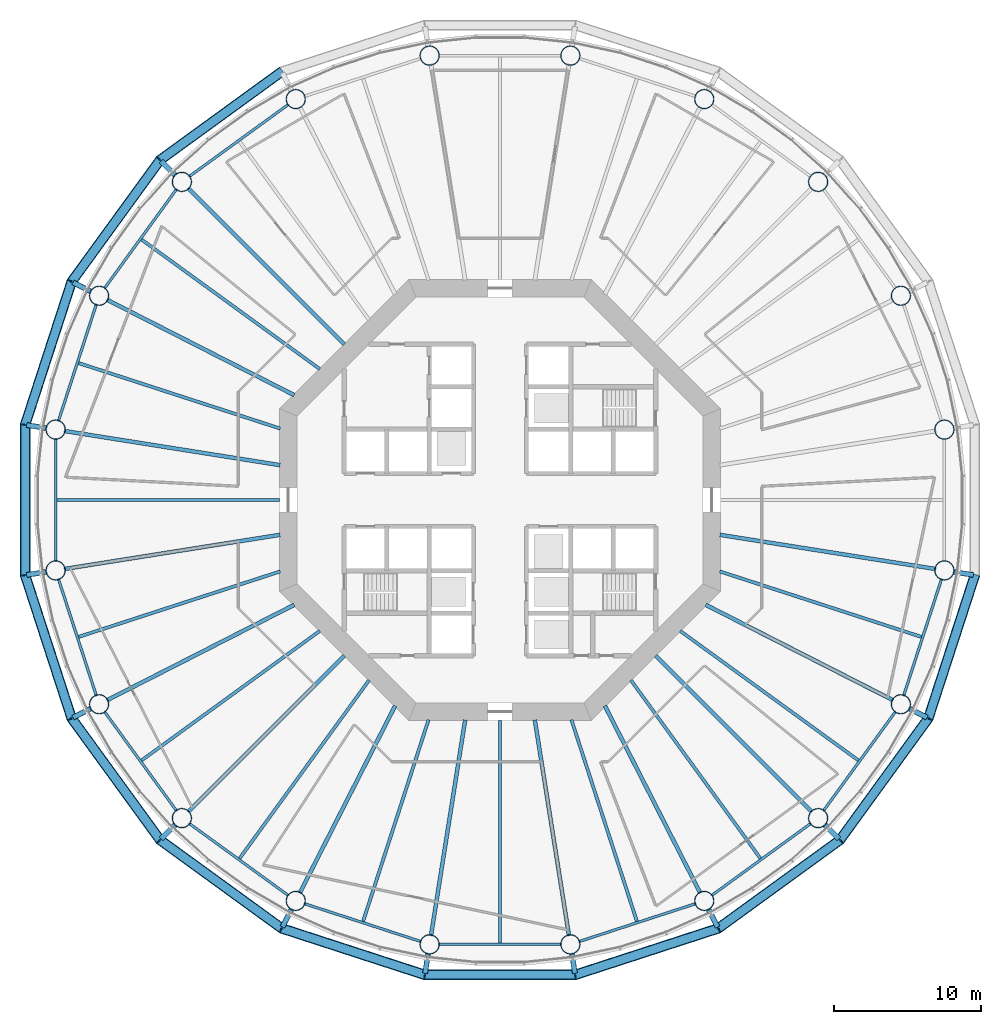
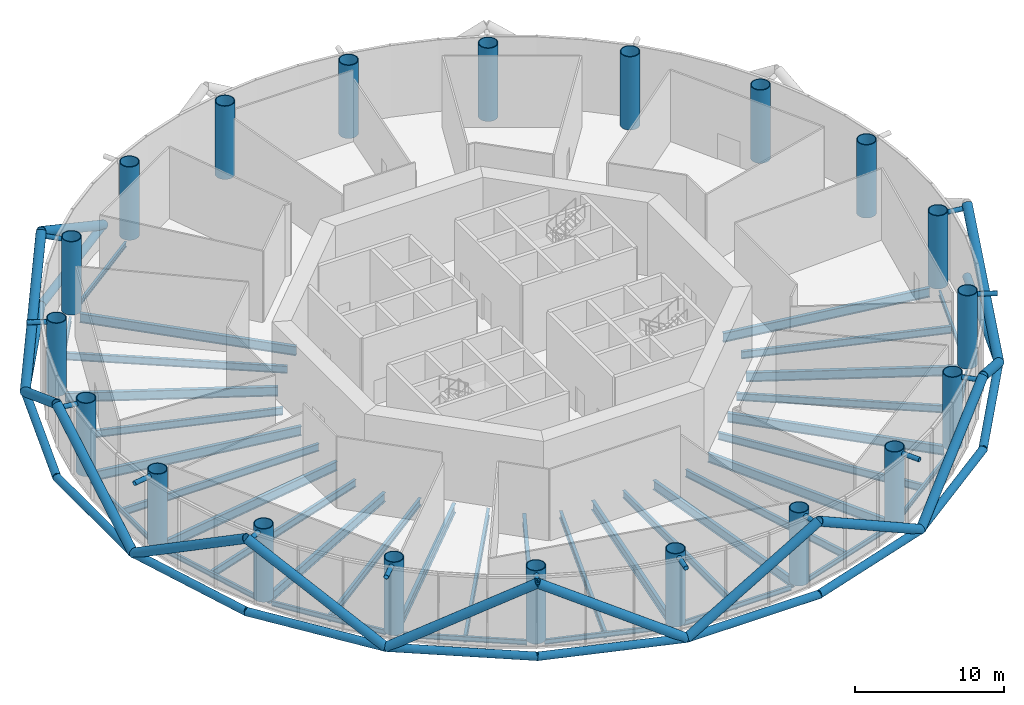
# One storey, part 1 of 14: 39 members, 38 beams, 20 columns.
"""IFC4 building model written with IfcOpenShell, lengths in metres."""

from ifc_helpers import new_model, si_unit, direction, frame, origin, origin_2d, place, context, subcontext, project, spatial, circle, hollow_circle, i_section, extrude, material, material_profile, profile_set, type_object, element, save


model = new_model("IFC4")

# Units and contexts
model_context = context("Model", 3, precision=1e-05, world=origin(), true_north=direction((0.0, 1.0)))
body_context = subcontext(model_context, "Body", "Model", "MODEL_VIEW")
ifc_project = project(units=[si_unit("LENGTHUNIT", "METRE"), si_unit("AREAUNIT", "SQUARE_METRE"), si_unit("VOLUMEUNIT", "CUBIC_METRE"), si_unit("PLANEANGLEUNIT", "RADIAN"), si_unit("MASSUNIT", "GRAM", prefix="KILO")], contexts=[model_context])

# Site, building, storey
site_placement = place(None, origin())
site = spatial("IfcSite", under=ifc_project, at=site_placement, CompositionType="ELEMENT")
building_placement = place(site_placement, origin())
building = spatial("IfcBuilding", under=site, at=building_placement, Name="Entoto Ring Tower", CompositionType="ELEMENT")
storey_placement = place(building_placement, frame((0.0, 0.0, 132.0)))
storey = spatial("IfcBuildingStorey", under=building, at=storey_placement, Name="L30", CompositionType="ELEMENT", Elevation=132.0)

# Columns
ifc_material_1 = material(Name="Steel S355", Category="steel")
ifc_material_profile_1 = material_profile(ifc_material_1, hollow_circle(Radius=0.675048828125, WallThickness=0.06005859375, at=origin_2d()), Name="CHS 1350 x 60")
ifc_material_2 = material(Name="Concrete C60/75", Category="concrete")
ifc_material_profile_2 = material_profile(ifc_material_2, circle(Radius=0.614990234375, at=origin_2d()), Name="Concrete C60/75 infill")
ifc_profile_set_1 = profile_set([ifc_material_profile_1, ifc_material_profile_2], Name="Steel S355")
column_type = type_object("IfcColumnType", Name="Ring column 1350 x 60 concrete-filled tube", PredefinedType="COLUMN", material=ifc_profile_set_1)
for number, where, z_axis, x_axis, name in (
    (1, (120.22314453125, 84.786865234375, 0.0), (0.0, 0.0, 1.0), (1.0, 0.0, 0.0), "RC2B R01"),
    (2, (117.264892578125, 93.89208984375, 0.0), (0.0, 0.0, 1.0), (1.0, 0.0, 0.0), "RC2B R02"),
    (3, (111.637451171875, 101.637451171875, 0.0), (0.0, 0.0, 1.0), (1.0, 0.0, 0.0), "RC2B R03"),
    (4, (103.89208984375, 107.264892578125, 0.0), (0.0, 0.0, 1.0), (1.0, 0.0, 0.0), "RC2B R04"),
    (5, (94.786865234375, 110.22314453125, 0.0), (0.0, 0.0, 1.0), (1.0, 0.0, 0.0), "RC2B R05"),
    (6, (85.213134765625, 110.22314453125, 0.0), (0.0, 0.0, 1.0), (1.0, 0.0, 0.0), "RC2B R06"),
    (7, (76.10791015625, 107.264892578125, 0.0), (0.0, 0.0, 1.0), (1.0, 0.0, 0.0), "RC2B R07"),
    (8, (68.362548828125, 101.637451171875, 0.0), (0.0, 0.0, 1.0), (1.0, 0.0, 0.0), "RC2B R08"),
    (9, (62.735107421875, 93.89208984375, 0.0), (0.0, 0.0, 1.0), (1.0, 0.0, 0.0), "RC2B R09"),
    (10, (59.77685546875, 84.786865234375, 0.0), (0.0, 0.0, 1.0), (1.0, 0.0, 0.0), "RC2B R10"),
    (11, (59.77685546875, 75.213134765625, 0.0), (0.0, 0.0, 1.0), (1.0, 0.0, 0.0), "RC2B R11"),
    (12, (62.735107421875, 66.10791015625, 0.0), (0.0, 0.0, 1.0), (1.0, 0.0, 0.0), "RC2B R12"),
    (13, (68.362548828125, 58.362548828125, 0.0), (0.0, 0.0, 1.0), (1.0, 0.0, 0.0), "RC2B R13"),
    (14, (76.10791015625, 52.735107421875, 0.0), (0.0, 0.0, 1.0), (1.0, 0.0, 0.0), "RC2B R14"),
    (15, (85.213134765625, 49.77685546875, 0.0), (0.0, 0.0, 1.0), (1.0, 0.0, 0.0), "RC2B R15"),
    (16, (94.786865234375, 49.77685546875, 0.0), (0.0, 0.0, 1.0), (1.0, 0.0, 0.0), "RC2B R16"),
    (17, (103.89208984375, 52.735107421875, 0.0), (0.0, 0.0, 1.0), (1.0, 0.0, 0.0), "RC2B R17"),
    (18, (111.637451171875, 58.362548828125, 0.0), (0.0, 0.0, 1.0), (1.0, 0.0, 0.0), "RC2B R18"),
    (19, (117.264892578125, 66.10791015625, 0.0), (0.0, 0.0, 1.0), (1.0, 0.0, 0.0), "RC2B R19"),
    (20, (120.22314453125, 75.213134765625, 0.0), (0.0, 0.0, 1.0), (1.0, 0.0, 0.0), "RC2B R20"),
):
    element("IfcColumn", number, at=place(storey_placement, frame(where, z_axis=z_axis, x_axis=x_axis)), inside=storey, type_object=column_type, Name=name, PredefinedType="COLUMN", context=body_context, shape_type="SweptSolid", body=[
        extrude(hollow_circle(Radius=0.675048828125, WallThickness=0.06005859375, at=origin_2d()), origin(), (0.0, 0.0, 1.0), 6.0),
    ])

# Members
ifc_material_3 = material(Name="Steel S355", Category="steel")
ifc_material_profile_3 = material_profile(ifc_material_3, hollow_circle(Radius=0.35009765625, WallThickness=0.034912109375, at=origin_2d()), Name="CHS 700 x 35")
ifc_material_4 = material(Name="Concrete C60/75", Category="concrete")
ifc_material_profile_4 = material_profile(ifc_material_4, circle(Radius=0.31494140625, at=origin_2d()), Name="Concrete C60/75 infill")
ifc_profile_set_2 = profile_set([ifc_material_profile_3, ifc_material_profile_4], Name="Steel S355")
member_type_1 = type_object("IfcMemberType", Name="Diagrid diagonal 700 x 35 concrete-filled tube", PredefinedType="BRACE", material=ifc_profile_set_2)
for number, where, z_axis, x_axis, name in (
    (21, (75.154541015625, 109.135986328125, 0.0), (-0.697852636257, -0.507035164187, 0.505882437279), (0.587797047665, -0.809008424404, 0.0), "DG3 module 9 08"),
    (22, (60.864013671875, 94.845458984375, 0.0), (0.507035164187, 0.697852636257, 0.505882437279), (-0.809008424404, 0.587797047665, 0.0), "DG3 module 9 09"),
    (23, (60.864013671875, 94.845458984375, 0.0), (-0.266551077014, -0.820382008133, 0.505889201382), (0.95105896794, -0.309009448885, 0.0), "DG3 module 9 10"),
):
    element("IfcMember", number, at=place(storey_placement, frame(where, z_axis=z_axis, x_axis=x_axis)), inside=storey, type_object=member_type_1, Name=name, PredefinedType="BRACE", context=body_context, shape_type="SweptSolid", body=[
        extrude(hollow_circle(Radius=0.35009765625, WallThickness=0.034912109375, at=origin_2d()), origin(), (0.0, 0.0, 1.0), 11.8603515625),
    ])
member_1_placement = place(storey_placement, frame((57.70263671875, 74.884521484375, 0.0), z_axis=(0.0, 0.862604433537, 0.505879028268), x_axis=(-1.0, 0.0, 0.0)))
element("IfcMember", 24, at=member_1_placement, inside=storey, type_object=member_type_1, Name="DG3 module 9 11", PredefinedType="BRACE", context=body_context, shape_type="SweptSolid", body=[
    extrude(hollow_circle(Radius=0.35009765625, WallThickness=0.034912109375, at=origin_2d()), origin(), (0.0, 0.0, 1.0), 11.860595703125),
])
for number, where, z_axis, x_axis, name in (
    (25, (57.70263671875, 74.884521484375, 0.0), (0.266551077014, -0.820382008133, 0.505889201382), (0.95105896794, 0.309009448885, 0.0), "DG3 module 9 12"),
    (26, (66.877685546875, 56.877685546875, 0.0), (-0.507035164187, 0.697852636257, 0.505882437279), (-0.809008424404, -0.587797047665, 0.0), "DG3 module 9 13"),
    (27, (66.877685546875, 56.877685546875, 0.0), (0.697852636257, -0.507035164187, 0.505882437279), (0.587797047665, 0.809008424404, 0.0), "DG3 module 9 14"),
    (28, (84.884521484375, 47.70263671875, 0.0), (-0.820382008133, 0.266551077014, 0.505889201382), (-0.309009448885, -0.95105896794, 0.0), "DG3 module 9 15"),
):
    element("IfcMember", number, at=place(storey_placement, frame(where, z_axis=z_axis, x_axis=x_axis)), inside=storey, type_object=member_type_1, Name=name, PredefinedType="BRACE", context=body_context, shape_type="SweptSolid", body=[
        extrude(hollow_circle(Radius=0.35009765625, WallThickness=0.034912109375, at=origin_2d()), origin(), (0.0, 0.0, 1.0), 11.8603515625),
    ])
member_2_placement = place(storey_placement, frame((84.884521484375, 47.70263671875, 0.0), z_axis=(0.862604433537, 0.0, 0.505879028268), x_axis=(0.0, 1.0, 0.0)))
element("IfcMember", 29, at=member_2_placement, inside=storey, type_object=member_type_1, Name="DG3 module 9 16", PredefinedType="BRACE", context=body_context, shape_type="SweptSolid", body=[
    extrude(hollow_circle(Radius=0.35009765625, WallThickness=0.034912109375, at=origin_2d()), origin(), (0.0, 0.0, 1.0), 11.860595703125),
])
for number, where, z_axis, x_axis, name in (
    (30, (104.845458984375, 50.864013671875, 0.0), (-0.820382008133, -0.266551077014, 0.505889201382), (0.309009448885, -0.95105896794, 0.0), "DG3 module 9 17"),
    (31, (104.845458984375, 50.864013671875, 0.0), (0.697852636257, 0.507035164187, 0.505882437279), (-0.587797047665, 0.809008424404, 0.0), "DG3 module 9 18"),
    (32, (119.135986328125, 65.154541015625, 0.0), (-0.507035164187, -0.697852636257, 0.505882437279), (0.809008424404, -0.587797047665, 0.0), "DG3 module 9 19"),
    (33, (119.135986328125, 65.154541015625, 0.0), (0.266551077014, 0.820382008133, 0.505889201382), (-0.95105896794, 0.309009448885, 0.0), "DG3 module 9 20"),
):
    element("IfcMember", number, at=place(storey_placement, frame(where, z_axis=z_axis, x_axis=x_axis)), inside=storey, type_object=member_type_1, Name=name, PredefinedType="BRACE", context=body_context, shape_type="SweptSolid", body=[
        extrude(hollow_circle(Radius=0.35009765625, WallThickness=0.034912109375, at=origin_2d()), origin(), (0.0, 0.0, 1.0), 11.8603515625),
    ])
ifc_material_5 = material(Name="Steel S355", Category="steel")
ifc_material_profile_5 = material_profile(ifc_material_5, hollow_circle(Radius=0.177734375, WallThickness=0.01611328125, at=origin_2d()), Name="CHS 355.6 x 16")
ifc_material_6 = material(Name="Concrete C60/75", Category="concrete")
ifc_material_profile_6 = material_profile(ifc_material_6, circle(Radius=0.161865234375, at=origin_2d()), Name="Concrete C60/75 infill")
ifc_profile_set_3 = profile_set([ifc_material_profile_5, ifc_material_profile_6], Name="Steel S355")
member_type_2 = type_object("IfcMemberType", Name="Diagrid node strut 355.6 x 16", PredefinedType="STRUT", material=ifc_profile_set_3)
for number, where, z_axis, x_axis, name in (
    (34, (67.916259765625, 102.083740234375, 5.672119140625), (-0.707106781187, 0.707106781187, 0.0), (-0.707106781187, -0.707106781187, 0.0), "DS1 strut ring 9 07"),
    (35, (62.1728515625, 94.1787109375, 5.672119140625), (-0.891049024255, 0.453907079009, 0.0), (-0.453907079009, -0.891049024255, 0.0), "DS1 strut ring 9 08"),
    (36, (59.1533203125, 84.8857421875, 5.672119140625), (-0.987692006153, 0.156411319862, 0.0), (-0.156411319862, -0.987692006153, 0.0), "DS1 strut ring 9 09"),
    (37, (59.1533203125, 75.1142578125, 5.672119140625), (-0.987692006153, -0.156411319862, 0.0), (0.156411319862, -0.987692006153, 0.0), "DS1 strut ring 9 10"),
    (38, (62.1728515625, 65.8212890625, 5.672119140625), (-0.891049024255, -0.453907079009, 0.0), (0.453907079009, -0.891049024255, 0.0), "DS1 strut ring 9 11"),
    (39, (67.916259765625, 57.916259765625, 5.672119140625), (-0.707106781187, -0.707106781187, 0.0), (0.707106781187, -0.707106781187, 0.0), "DS1 strut ring 9 12"),
    (40, (75.8212890625, 52.1728515625, 5.672119140625), (-0.453907079009, -0.891049024255, 0.0), (0.891049024255, -0.453907079009, 0.0), "DS1 strut ring 9 13"),
    (41, (85.1142578125, 49.1533203125, 5.672119140625), (-0.156411319862, -0.987692006153, 0.0), (0.987692006153, -0.156411319862, 0.0), "DS1 strut ring 9 14"),
    (42, (94.8857421875, 49.1533203125, 5.672119140625), (0.156411319862, -0.987692006153, 0.0), (0.987692006153, 0.156411319862, 0.0), "DS1 strut ring 9 15"),
    (43, (104.1787109375, 52.1728515625, 5.672119140625), (0.453907079009, -0.891049024255, 0.0), (0.891049024255, 0.453907079009, 0.0), "DS1 strut ring 9 16"),
    (44, (112.083740234375, 57.916259765625, 5.672119140625), (0.707106781187, -0.707106781187, 0.0), (0.707106781187, 0.707106781187, 0.0), "DS1 strut ring 9 17"),
    (45, (117.8271484375, 65.8212890625, 5.672119140625), (0.891049024255, -0.453907079009, 0.0), (0.453907079009, 0.891049024255, 0.0), "DS1 strut ring 9 18"),
    (46, (120.8466796875, 75.1142578125, 5.672119140625), (0.987692006153, -0.156411319862, 0.0), (0.156411319862, 0.987692006153, 0.0), "DS1 strut ring 9 19"),
):
    element("IfcMember", number, at=place(storey_placement, frame(where, z_axis=z_axis, x_axis=x_axis)), inside=storey, type_object=member_type_2, Name=name, PredefinedType="STRUT", context=body_context, shape_type="SweptSolid", body=[
        extrude(hollow_circle(Radius=0.177734375, WallThickness=0.01611328125, at=origin_2d()), origin(), (0.0, 0.0, 1.0), 1.368896484375),
    ])
ifc_material_7 = material(Name="Steel S355", Category="steel")
ifc_material_profile_7 = material_profile(ifc_material_7, hollow_circle(Radius=0.300048828125, WallThickness=0.030029296875, at=origin_2d()), Name="CHS 600 x 30")
ifc_material_8 = material(Name="Concrete C60/75", Category="concrete")
ifc_material_profile_8 = material_profile(ifc_material_8, circle(Radius=0.27001953125, at=origin_2d()), Name="Concrete C60/75 infill")
ifc_profile_set_4 = profile_set([ifc_material_profile_7, ifc_material_profile_8], Name="Steel S355")
member_type_3 = type_object("IfcMemberType", Name="Diagrid ring beam 600 x 30", PredefinedType="CHORD", material=ifc_profile_set_4)
for number, where, z_axis, x_axis, name in (
    (47, (75.209228515625, 109.175537109375, 0.0), (-0.809025235549, -0.587773909122, 0.0), (0.587773909122, -0.809025235549, 0.0), "DR1 ring 8 07"),
    (48, (66.917236328125, 103.177001953125, 0.0), (-0.587773909122, -0.809025235549, 0.0), (0.809025235549, -0.587773909122, 0.0), "DR1 ring 8 08"),
):
    element("IfcMember", number, at=place(storey_placement, frame(where, z_axis=z_axis, x_axis=x_axis)), inside=storey, type_object=member_type_3, Name=name, PredefinedType="CHORD", context=body_context, shape_type="SweptSolid", body=[
        extrude(hollow_circle(Radius=0.300048828125, WallThickness=0.030029296875, at=origin_2d()), origin(), (0.0, 0.0, 1.0), 10.365966796875),
    ])
for number, where, z_axis, x_axis, name in (
    (49, (60.885009765625, 94.90966796875, 0.0), (-0.309032815696, -0.951051375491, 0.0), (0.951051375491, -0.309032815696, 0.0), "DR1 ring 8 09"),
    (50, (57.70263671875, 85.182861328125, 0.0), (0.0, -1.0, 0.0), (1.0, 0.0, 0.0), "DR1 ring 8 10"),
    (51, (57.681640625, 74.94873046875, 0.0), (0.309032815696, -0.951051375491, 0.0), (0.951051375491, 0.309032815696, 0.0), "DR1 ring 8 11"),
):
    element("IfcMember", number, at=place(storey_placement, frame(where, z_axis=z_axis, x_axis=x_axis)), inside=storey, type_object=member_type_3, Name=name, PredefinedType="CHORD", context=body_context, shape_type="SweptSolid", body=[
        extrude(hollow_circle(Radius=0.300048828125, WallThickness=0.030029296875, at=origin_2d()), origin(), (0.0, 0.0, 1.0), 10.36572265625),
    ])
for number, where, z_axis, x_axis, name in (
    (52, (60.824462890625, 65.209228515625, 0.0), (0.587773909122, -0.809025235549, 0.0), (0.809025235549, 0.587773909122, 0.0), "DR1 ring 8 12"),
    (53, (66.822998046875, 56.917236328125, 0.0), (0.809025235549, -0.587773909122, 0.0), (0.587773909122, 0.809025235549, 0.0), "DR1 ring 8 13"),
):
    element("IfcMember", number, at=place(storey_placement, frame(where, z_axis=z_axis, x_axis=x_axis)), inside=storey, type_object=member_type_3, Name=name, PredefinedType="CHORD", context=body_context, shape_type="SweptSolid", body=[
        extrude(hollow_circle(Radius=0.300048828125, WallThickness=0.030029296875, at=origin_2d()), origin(), (0.0, 0.0, 1.0), 10.365966796875),
    ])
for number, where, z_axis, x_axis, name in (
    (54, (75.09033203125, 50.885009765625, 0.0), (0.951051375491, -0.309032815696, 0.0), (0.309032815696, 0.951051375491, 0.0), "DR1 ring 8 14"),
    (55, (84.817138671875, 47.70263671875, 0.0), (1.0, 0.0, 0.0), (0.0, 1.0, 0.0), "DR1 ring 8 15"),
    (56, (95.05126953125, 47.681640625, 0.0), (0.951051375491, 0.309032815696, 0.0), (-0.309032815696, 0.951051375491, 0.0), "DR1 ring 8 16"),
):
    element("IfcMember", number, at=place(storey_placement, frame(where, z_axis=z_axis, x_axis=x_axis)), inside=storey, type_object=member_type_3, Name=name, PredefinedType="CHORD", context=body_context, shape_type="SweptSolid", body=[
        extrude(hollow_circle(Radius=0.300048828125, WallThickness=0.030029296875, at=origin_2d()), origin(), (0.0, 0.0, 1.0), 10.36572265625),
    ])
for number, where, z_axis, x_axis, name in (
    (57, (104.790771484375, 50.824462890625, 0.0), (0.809025235549, 0.587773909122, 0.0), (-0.587773909122, 0.809025235549, 0.0), "DR1 ring 8 17"),
    (58, (113.082763671875, 56.822998046875, 0.0), (0.587773909122, 0.809025235549, 0.0), (-0.809025235549, 0.587773909122, 0.0), "DR1 ring 8 18"),
):
    element("IfcMember", number, at=place(storey_placement, frame(where, z_axis=z_axis, x_axis=x_axis)), inside=storey, type_object=member_type_3, Name=name, PredefinedType="CHORD", context=body_context, shape_type="SweptSolid", body=[
        extrude(hollow_circle(Radius=0.300048828125, WallThickness=0.030029296875, at=origin_2d()), origin(), (0.0, 0.0, 1.0), 10.365966796875),
    ])
member_3_placement = place(storey_placement, frame((119.114990234375, 65.09033203125, 0.0), z_axis=(0.309032815696, 0.951051375491, 0.0), x_axis=(-0.951051375491, 0.309032815696, 0.0)))
element("IfcMember", 59, at=member_3_placement, inside=storey, type_object=member_type_3, Name="DR1 ring 8 19", PredefinedType="CHORD", context=body_context, shape_type="SweptSolid", body=[
    extrude(hollow_circle(Radius=0.300048828125, WallThickness=0.030029296875, at=origin_2d()), origin(), (0.0, 0.0, 1.0), 10.36572265625),
])

# Beams
ifc_material_9 = material(Name="Steel S355", Category="steel")
ifc_material_profile_9 = material_profile(ifc_material_9, i_section(OverallWidth=0.179931640625, OverallDepth=0.39990234375, WebThickness=0.008544921875, FlangeThickness=0.013427734375, FilletRadius=0.02099609375, at=origin_2d()), Name="IPE 400")
ifc_profile_set_5 = profile_set([ifc_material_profile_9], Name="Steel S355")
beam_type_1 = type_object("IfcBeamType", Name="Edge beam IPE 400", PredefinedType="SPANDREL", material=ifc_profile_set_5)
for number, where, z_axis, x_axis, name in (
    (60, (75.623779296875, 106.9130859375, -0.35009765625), (-0.8090182976, -0.587783458554, 0.0), (0.587783458554, -0.8090182976, 0.0), "Edge beam L30 07"),
    (61, (68.0107421875, 101.1533203125, -0.35009765625), (-0.587783458554, -0.8090182976, 0.0), (0.8090182976, -0.587783458554, 0.0), "Edge beam L30 08"),
    (62, (62.55029296875, 93.322998046875, -0.35009765625), (-0.309014241039, -0.951057410904, 0.0), (0.951057410904, -0.309014241039, 0.0), "Edge beam L30 09"),
    (63, (59.77685546875, 84.1884765625, -0.35009765625), (0.0, -1.0, 0.0), (1.0, 0.0, 0.0), "Edge beam L30 10"),
    (64, (59.961669921875, 74.64404296875, -0.35009765625), (0.309014241039, -0.951057410904, 0.0), (0.951057410904, 0.309014241039, 0.0), "Edge beam L30 11"),
    (65, (63.0869140625, 65.623779296875, -0.35009765625), (0.587783458554, -0.8090182976, 0.0), (0.8090182976, 0.587783458554, 0.0), "Edge beam L30 12"),
    (66, (68.8466796875, 58.0107421875, -0.35009765625), (0.8090182976, -0.587783458554, 0.0), (0.587783458554, 0.8090182976, 0.0), "Edge beam L30 13"),
    (67, (76.677001953125, 52.55029296875, -0.35009765625), (0.951057410904, -0.309014241039, 0.0), (0.309014241039, 0.951057410904, 0.0), "Edge beam L30 14"),
    (68, (85.8115234375, 49.77685546875, -0.35009765625), (1.0, 0.0, 0.0), (0.0, 1.0, 0.0), "Edge beam L30 15"),
    (69, (95.35595703125, 49.961669921875, -0.35009765625), (0.951057410904, 0.309014241039, 0.0), (-0.309014241039, 0.951057410904, 0.0), "Edge beam L30 16"),
    (70, (104.376220703125, 53.0869140625, -0.35009765625), (0.8090182976, 0.587783458554, 0.0), (-0.587783458554, 0.8090182976, 0.0), "Edge beam L30 17"),
    (71, (111.9892578125, 58.8466796875, -0.35009765625), (0.587783458554, 0.8090182976, 0.0), (-0.8090182976, 0.587783458554, 0.0), "Edge beam L30 18"),
    (72, (117.44970703125, 66.677001953125, -0.35009765625), (0.309014241039, 0.951057410904, 0.0), (-0.951057410904, 0.309014241039, 0.0), "Edge beam L30 19"),
):
    element("IfcBeam", number, at=place(storey_placement, frame(where, z_axis=z_axis, x_axis=x_axis)), inside=storey, type_object=beam_type_1, Name=name, PredefinedType="SPANDREL", context=body_context, shape_type="SweptSolid", body=[
        extrude(i_section(OverallWidth=0.179931640625, OverallDepth=0.39990234375, WebThickness=0.008544921875, FlangeThickness=0.013427734375, FilletRadius=0.02099609375, at=origin_2d()), origin(), (0.0, 0.0, 1.0), 8.376953125),
    ])
ifc_material_10 = material(Name="Steel S355", Category="steel")
ifc_material_profile_10 = material_profile(ifc_material_10, i_section(OverallWidth=0.262939453125, OverallDepth=0.7529296875, WebThickness=0.011474609375, FlangeThickness=0.01708984375, FilletRadius=0.01708984375, at=origin_2d()), Name="IPE 750 x 137")
ifc_profile_set_6 = profile_set([ifc_material_profile_10], Name="Steel S355")
beam_type_2 = type_object("IfcBeamType", Name="Primary floor beam IPE 750 x 137", PredefinedType="BEAM", material=ifc_profile_set_6)
beam_1_placement = place(storey_placement, frame((79.407470703125, 90.592529296875, -0.526611328125), z_axis=(-0.707106781187, 0.707106781187, 0.0), x_axis=(-0.707106781187, -0.707106781187, 0.0)))
element("IfcBeam", 73, at=beam_1_placement, inside=storey, type_object=beam_type_2, Name="Primary L30 R08", PredefinedType="BEAM", context=body_context, shape_type="SweptSolid", body=[
    extrude(i_section(OverallWidth=0.262939453125, OverallDepth=0.7529296875, WebThickness=0.011474609375, FlangeThickness=0.01708984375, FilletRadius=0.01708984375, at=origin_2d()), origin(), (0.0, 0.0, 1.0), 15.029052734375),
])
beam_2_placement = place(storey_placement, frame((76.0029296875, 87.1318359375, -0.526611328125), z_axis=(-0.891007312585, 0.453988952421, 0.0), x_axis=(-0.453988952421, -0.891007312585, 0.0)))
element("IfcBeam", 74, at=beam_2_placement, inside=storey, type_object=beam_type_2, Name="Primary L30 R09", PredefinedType="BEAM", context=body_context, shape_type="SweptSolid", body=[
    extrude(i_section(OverallWidth=0.262939453125, OverallDepth=0.7529296875, WebThickness=0.011474609375, FlangeThickness=0.01708984375, FilletRadius=0.01708984375, at=origin_2d()), origin(), (0.0, 0.0, 1.0), 14.2998046875),
])
for number, where, z_axis, x_axis, name in (
    (75, (75.040283203125, 82.369384765625, -0.526611328125), (-0.98768960451, 0.156426484787, 0.0), (-0.156426484787, -0.98768960451, 0.0), "Primary L30 R10"),
    (76, (75.040283203125, 77.630615234375, -0.526611328125), (-0.98768960451, -0.156426484787, 0.0), (0.156426484787, -0.98768960451, 0.0), "Primary L30 R11"),
):
    element("IfcBeam", number, at=place(storey_placement, frame(where, z_axis=z_axis, x_axis=x_axis)), inside=storey, type_object=beam_type_2, Name=name, PredefinedType="BEAM", context=body_context, shape_type="SweptSolid", body=[
        extrude(i_section(OverallWidth=0.262939453125, OverallDepth=0.7529296875, WebThickness=0.011474609375, FlangeThickness=0.01708984375, FilletRadius=0.01708984375, at=origin_2d()), origin(), (0.0, 0.0, 1.0), 14.86279296875),
    ])
beam_3_placement = place(storey_placement, frame((76.0029296875, 72.8681640625, -0.526611328125), z_axis=(-0.891007312585, -0.453988952421, 0.0), x_axis=(0.453988952421, -0.891007312585, 0.0)))
element("IfcBeam", 77, at=beam_3_placement, inside=storey, type_object=beam_type_2, Name="Primary L30 R12", PredefinedType="BEAM", context=body_context, shape_type="SweptSolid", body=[
    extrude(i_section(OverallWidth=0.262939453125, OverallDepth=0.7529296875, WebThickness=0.011474609375, FlangeThickness=0.01708984375, FilletRadius=0.01708984375, at=origin_2d()), origin(), (0.0, 0.0, 1.0), 14.2998046875),
])
beam_4_placement = place(storey_placement, frame((79.407470703125, 69.407470703125, -0.526611328125), z_axis=(-0.707106781187, -0.707106781187, 0.0), x_axis=(0.707106781187, -0.707106781187, 0.0)))
element("IfcBeam", 78, at=beam_4_placement, inside=storey, type_object=beam_type_2, Name="Primary L30 R13", PredefinedType="BEAM", context=body_context, shape_type="SweptSolid", body=[
    extrude(i_section(OverallWidth=0.262939453125, OverallDepth=0.7529296875, WebThickness=0.011474609375, FlangeThickness=0.01708984375, FilletRadius=0.01708984375, at=origin_2d()), origin(), (0.0, 0.0, 1.0), 15.029052734375),
])
beam_5_placement = place(storey_placement, frame((82.8681640625, 66.0029296875, -0.526611328125), z_axis=(-0.453988952421, -0.891007312585, 0.0), x_axis=(0.891007312585, -0.453988952421, 0.0)))
element("IfcBeam", 79, at=beam_5_placement, inside=storey, type_object=beam_type_2, Name="Primary L30 R14", PredefinedType="BEAM", context=body_context, shape_type="SweptSolid", body=[
    extrude(i_section(OverallWidth=0.262939453125, OverallDepth=0.7529296875, WebThickness=0.011474609375, FlangeThickness=0.01708984375, FilletRadius=0.01708984375, at=origin_2d()), origin(), (0.0, 0.0, 1.0), 14.2998046875),
])
for number, where, z_axis, x_axis, name in (
    (80, (87.630615234375, 65.040283203125, -0.526611328125), (-0.156426484787, -0.98768960451, 0.0), (0.98768960451, -0.156426484787, 0.0), "Primary L30 R15"),
    (81, (92.369384765625, 65.040283203125, -0.526611328125), (0.156426484787, -0.98768960451, 0.0), (0.98768960451, 0.156426484787, 0.0), "Primary L30 R16"),
):
    element("IfcBeam", number, at=place(storey_placement, frame(where, z_axis=z_axis, x_axis=x_axis)), inside=storey, type_object=beam_type_2, Name=name, PredefinedType="BEAM", context=body_context, shape_type="SweptSolid", body=[
        extrude(i_section(OverallWidth=0.262939453125, OverallDepth=0.7529296875, WebThickness=0.011474609375, FlangeThickness=0.01708984375, FilletRadius=0.01708984375, at=origin_2d()), origin(), (0.0, 0.0, 1.0), 14.86279296875),
    ])
beam_6_placement = place(storey_placement, frame((97.1318359375, 66.0029296875, -0.526611328125), z_axis=(0.453988952421, -0.891007312585, 0.0), x_axis=(0.891007312585, 0.453988952421, 0.0)))
element("IfcBeam", 82, at=beam_6_placement, inside=storey, type_object=beam_type_2, Name="Primary L30 R17", PredefinedType="BEAM", context=body_context, shape_type="SweptSolid", body=[
    extrude(i_section(OverallWidth=0.262939453125, OverallDepth=0.7529296875, WebThickness=0.011474609375, FlangeThickness=0.01708984375, FilletRadius=0.01708984375, at=origin_2d()), origin(), (0.0, 0.0, 1.0), 14.2998046875),
])
beam_7_placement = place(storey_placement, frame((100.592529296875, 69.407470703125, -0.526611328125), z_axis=(0.707106781187, -0.707106781187, 0.0), x_axis=(0.707106781187, 0.707106781187, 0.0)))
element("IfcBeam", 83, at=beam_7_placement, inside=storey, type_object=beam_type_2, Name="Primary L30 R18", PredefinedType="BEAM", context=body_context, shape_type="SweptSolid", body=[
    extrude(i_section(OverallWidth=0.262939453125, OverallDepth=0.7529296875, WebThickness=0.011474609375, FlangeThickness=0.01708984375, FilletRadius=0.01708984375, at=origin_2d()), origin(), (0.0, 0.0, 1.0), 15.029052734375),
])
beam_8_placement = place(storey_placement, frame((103.9970703125, 72.8681640625, -0.526611328125), z_axis=(0.891007312585, -0.453988952421, 0.0), x_axis=(0.453988952421, 0.891007312585, 0.0)))
element("IfcBeam", 84, at=beam_8_placement, inside=storey, type_object=beam_type_2, Name="Primary L30 R19", PredefinedType="BEAM", context=body_context, shape_type="SweptSolid", body=[
    extrude(i_section(OverallWidth=0.262939453125, OverallDepth=0.7529296875, WebThickness=0.011474609375, FlangeThickness=0.01708984375, FilletRadius=0.01708984375, at=origin_2d()), origin(), (0.0, 0.0, 1.0), 14.2998046875),
])
beam_9_placement = place(storey_placement, frame((104.959716796875, 77.630615234375, -0.526611328125), z_axis=(0.98768960451, -0.156426484787, 0.0), x_axis=(0.156426484787, 0.98768960451, 0.0)))
element("IfcBeam", 85, at=beam_9_placement, inside=storey, type_object=beam_type_2, Name="Primary L30 R20", PredefinedType="BEAM", context=body_context, shape_type="SweptSolid", body=[
    extrude(i_section(OverallWidth=0.262939453125, OverallDepth=0.7529296875, WebThickness=0.011474609375, FlangeThickness=0.01708984375, FilletRadius=0.01708984375, at=origin_2d()), origin(), (0.0, 0.0, 1.0), 14.86279296875),
])
ifc_material_11 = material(Name="Steel S355", Category="steel")
ifc_material_profile_11 = material_profile(ifc_material_11, i_section(OverallWidth=0.219970703125, OverallDepth=0.60009765625, WebThickness=0.011962890625, FlangeThickness=0.01904296875, FilletRadius=0.02392578125, at=origin_2d()), Name="IPE 600")
ifc_profile_set_7 = profile_set([ifc_material_profile_11], Name="Steel S355")
beam_type_3 = type_object("IfcBeamType", Name="Secondary floor beam IPE 600", PredefinedType="JOIST", material=ifc_profile_set_7)
beam_10_placement = place(storey_placement, frame((77.74365234375, 88.90478515625, -0.449951171875), z_axis=(-0.809019238239, 0.587782163866, 0.0), x_axis=(-0.587782163866, -0.809019238239, 0.0)))
element("IfcBeam", 86, at=beam_10_placement, inside=storey, type_object=beam_type_3, Name="Secondary beam L30 08", PredefinedType="JOIST", context=body_context, shape_type="SweptSolid", body=[
    extrude(i_section(OverallWidth=0.219970703125, OverallDepth=0.60009765625, WebThickness=0.011962890625, FlangeThickness=0.01904296875, FilletRadius=0.02392578125, at=origin_2d()), origin(), (0.0, 0.0, 1.0), 14.983642578125),
])
beam_11_placement = place(storey_placement, frame((75.052978515625, 84.856689453125, -0.449951171875), z_axis=(-0.951057212949, 0.309014850288, 0.0), x_axis=(-0.309014850288, -0.951057212949, 0.0)))
element("IfcBeam", 87, at=beam_11_placement, inside=storey, type_object=beam_type_3, Name="Secondary beam L30 09", PredefinedType="JOIST", context=body_context, shape_type="SweptSolid", body=[
    extrude(i_section(OverallWidth=0.219970703125, OverallDepth=0.60009765625, WebThickness=0.011962890625, FlangeThickness=0.01904296875, FilletRadius=0.02392578125, at=origin_2d()), origin(), (0.0, 0.0, 1.0), 14.4169921875),
])
beam_12_placement = place(storey_placement, frame((75.02001953125, 80.0, -0.449951171875), z_axis=(-1.0, 0.0, 0.0), x_axis=(0.0, -1.0, 0.0)))
element("IfcBeam", 88, at=beam_12_placement, inside=storey, type_object=beam_type_3, Name="Secondary beam L30 10", PredefinedType="JOIST", context=body_context, shape_type="SweptSolid", body=[
    extrude(i_section(OverallWidth=0.219970703125, OverallDepth=0.60009765625, WebThickness=0.011962890625, FlangeThickness=0.01904296875, FilletRadius=0.02392578125, at=origin_2d()), origin(), (0.0, 0.0, 1.0), 15.1533203125),
])
beam_13_placement = place(storey_placement, frame((75.052978515625, 75.143310546875, -0.449951171875), z_axis=(-0.951057212949, -0.309014850288, 0.0), x_axis=(0.309014850288, -0.951057212949, 0.0)))
element("IfcBeam", 89, at=beam_13_placement, inside=storey, type_object=beam_type_3, Name="Secondary beam L30 11", PredefinedType="JOIST", context=body_context, shape_type="SweptSolid", body=[
    extrude(i_section(OverallWidth=0.219970703125, OverallDepth=0.60009765625, WebThickness=0.011962890625, FlangeThickness=0.01904296875, FilletRadius=0.02392578125, at=origin_2d()), origin(), (0.0, 0.0, 1.0), 14.4169921875),
])
for number, where, z_axis, x_axis, name in (
    (90, (77.74365234375, 71.09521484375, -0.449951171875), (-0.809019238239, -0.587782163866, 0.0), (0.587782163866, -0.809019238239, 0.0), "Secondary beam L30 12"),
    (91, (81.09521484375, 67.74365234375, -0.449951171875), (-0.587782163866, -0.809019238239, 0.0), (0.809019238239, -0.587782163866, 0.0), "Secondary beam L30 13"),
):
    element("IfcBeam", number, at=place(storey_placement, frame(where, z_axis=z_axis, x_axis=x_axis)), inside=storey, type_object=beam_type_3, Name=name, PredefinedType="JOIST", context=body_context, shape_type="SweptSolid", body=[
        extrude(i_section(OverallWidth=0.219970703125, OverallDepth=0.60009765625, WebThickness=0.011962890625, FlangeThickness=0.01904296875, FilletRadius=0.02392578125, at=origin_2d()), origin(), (0.0, 0.0, 1.0), 14.983642578125),
    ])
beam_14_placement = place(storey_placement, frame((85.143310546875, 65.052978515625, -0.449951171875), z_axis=(-0.309014850288, -0.951057212949, 0.0), x_axis=(0.951057212949, -0.309014850288, 0.0)))
element("IfcBeam", 92, at=beam_14_placement, inside=storey, type_object=beam_type_3, Name="Secondary beam L30 14", PredefinedType="JOIST", context=body_context, shape_type="SweptSolid", body=[
    extrude(i_section(OverallWidth=0.219970703125, OverallDepth=0.60009765625, WebThickness=0.011962890625, FlangeThickness=0.01904296875, FilletRadius=0.02392578125, at=origin_2d()), origin(), (0.0, 0.0, 1.0), 14.4169921875),
])
beam_15_placement = place(storey_placement, frame((90.0, 65.02001953125, -0.449951171875), z_axis=(0.0, -1.0, 0.0), x_axis=(1.0, 0.0, 0.0)))
element("IfcBeam", 93, at=beam_15_placement, inside=storey, type_object=beam_type_3, Name="Secondary beam L30 15", PredefinedType="JOIST", context=body_context, shape_type="SweptSolid", body=[
    extrude(i_section(OverallWidth=0.219970703125, OverallDepth=0.60009765625, WebThickness=0.011962890625, FlangeThickness=0.01904296875, FilletRadius=0.02392578125, at=origin_2d()), origin(), (0.0, 0.0, 1.0), 15.1533203125),
])
beam_16_placement = place(storey_placement, frame((94.856689453125, 65.052978515625, -0.449951171875), z_axis=(0.309014850288, -0.951057212949, 0.0), x_axis=(0.951057212949, 0.309014850288, 0.0)))
element("IfcBeam", 94, at=beam_16_placement, inside=storey, type_object=beam_type_3, Name="Secondary beam L30 16", PredefinedType="JOIST", context=body_context, shape_type="SweptSolid", body=[
    extrude(i_section(OverallWidth=0.219970703125, OverallDepth=0.60009765625, WebThickness=0.011962890625, FlangeThickness=0.01904296875, FilletRadius=0.02392578125, at=origin_2d()), origin(), (0.0, 0.0, 1.0), 14.4169921875),
])
for number, where, z_axis, x_axis, name in (
    (95, (98.90478515625, 67.74365234375, -0.449951171875), (0.587782163866, -0.809019238239, 0.0), (0.809019238239, 0.587782163866, 0.0), "Secondary beam L30 17"),
    (96, (102.25634765625, 71.09521484375, -0.449951171875), (0.809019238239, -0.587782163866, 0.0), (0.587782163866, 0.809019238239, 0.0), "Secondary beam L30 18"),
):
    element("IfcBeam", number, at=place(storey_placement, frame(where, z_axis=z_axis, x_axis=x_axis)), inside=storey, type_object=beam_type_3, Name=name, PredefinedType="JOIST", context=body_context, shape_type="SweptSolid", body=[
        extrude(i_section(OverallWidth=0.219970703125, OverallDepth=0.60009765625, WebThickness=0.011962890625, FlangeThickness=0.01904296875, FilletRadius=0.02392578125, at=origin_2d()), origin(), (0.0, 0.0, 1.0), 14.983642578125),
    ])
beam_17_placement = place(storey_placement, frame((104.947021484375, 75.143310546875, -0.449951171875), z_axis=(0.951057212949, -0.309014850288, 0.0), x_axis=(0.309014850288, 0.951057212949, 0.0)))
element("IfcBeam", 97, at=beam_17_placement, inside=storey, type_object=beam_type_3, Name="Secondary beam L30 19", PredefinedType="JOIST", context=body_context, shape_type="SweptSolid", body=[
    extrude(i_section(OverallWidth=0.219970703125, OverallDepth=0.60009765625, WebThickness=0.011962890625, FlangeThickness=0.01904296875, FilletRadius=0.02392578125, at=origin_2d()), origin(), (0.0, 0.0, 1.0), 14.4169921875),
])

save(model, "model.ifc")
